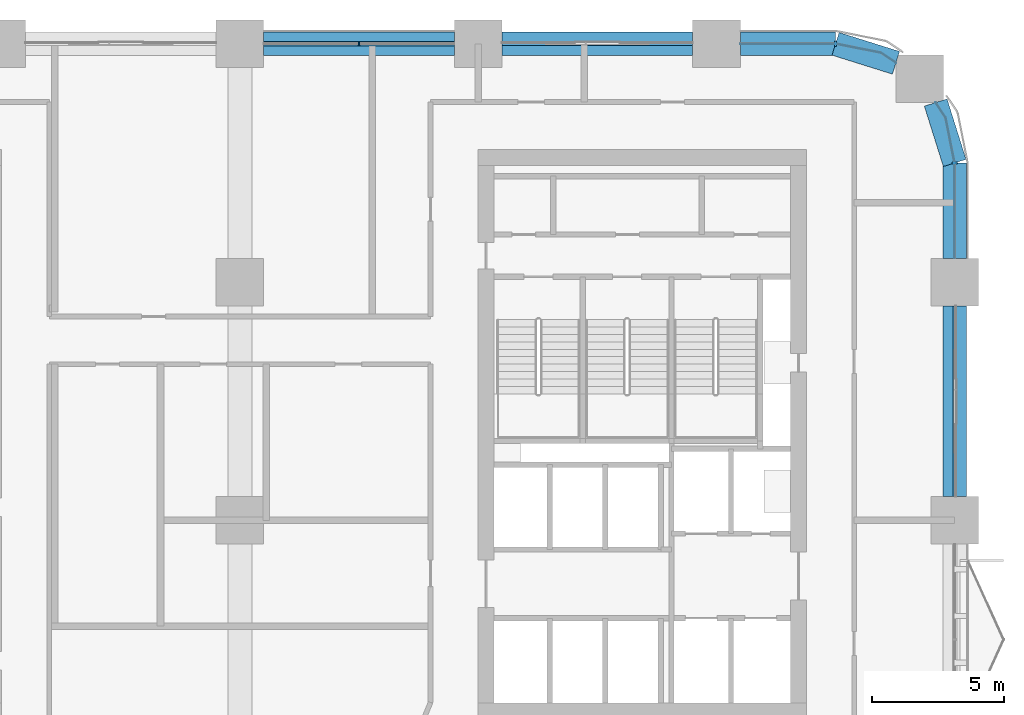
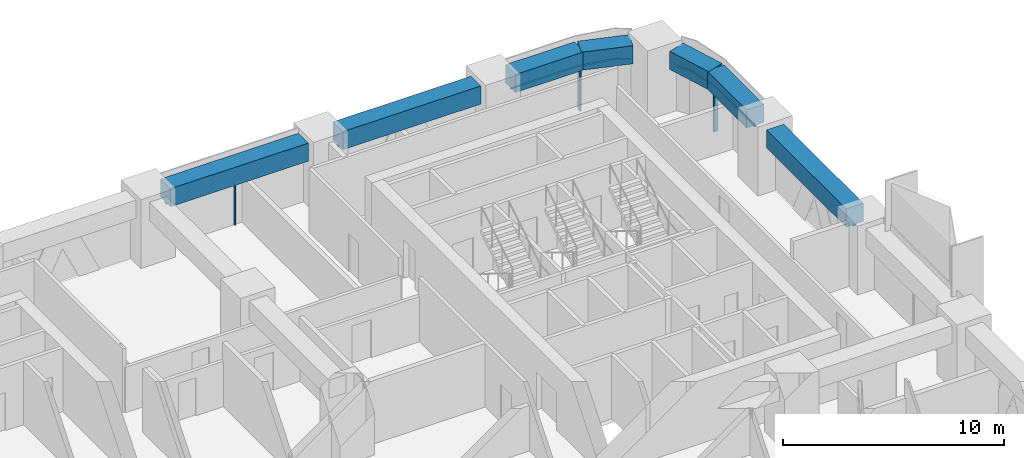
# One storey, part 9 of 24: 8 members, 7 beams, 5 elements without a shape of their own.
"""IFC4 building model written with IfcOpenShell, lengths in metres."""

from ifc_helpers import new_model, si_unit, direction, frame, origin, origin_2d, place, context, subcontext, project, spatial, polyline, rectangle, outline, extrude, material, material_profile, profile_set, type_object, element, aggregate, save


model = new_model("IFC4")

# Units and contexts
model_context = context("Model", 3, precision=1e-05, world=origin(), true_north=direction((0.0, 1.0)))
body_context = subcontext(model_context, "Body", "Model", "MODEL_VIEW")
ifc_project = project(units=[si_unit("LENGTHUNIT", "METRE"), si_unit("AREAUNIT", "SQUARE_METRE"), si_unit("VOLUMEUNIT", "CUBIC_METRE"), si_unit("PLANEANGLEUNIT", "RADIAN"), si_unit("MASSUNIT", "GRAM", prefix="KILO")], contexts=[model_context])

# Site, building, storey
site_placement = place(None, origin())
site = spatial("IfcSite", under=ifc_project, at=site_placement, CompositionType="ELEMENT")
building_placement = place(site_placement, origin())
building = spatial("IfcBuilding", under=site, at=building_placement, Name="Tessera Arch", CompositionType="ELEMENT")
storey_placement = place(building_placement, frame((0.0, 0.0, 81.60009765625)))
storey = spatial("IfcBuildingStorey", under=building, at=storey_placement, Name="L18", CompositionType="ELEMENT", Elevation=81.60009765625)

# Curtain wall, members
ifc_material_1 = material(Name="CW1 curtain wall")
curtain_wall_type_1 = type_object("IfcCurtainWallType", Name="CW1 curtain wall", PredefinedType="NOTDEFINED", material=ifc_material_1)
curtain_wall_1_placement = place(storey_placement, origin())
curtain_wall_1 = element("IfcCurtainWall", 1, at=curtain_wall_1_placement, inside=storey, type_object=curtain_wall_type_1, Name="CW1 curtain wall N54.0/1 L18", PredefinedType="NOTDEFINED")
ifc_material_2 = material(Name="Anodised aluminium pale metal", Category="aluminium")
ifc_material_profile_1 = material_profile(ifc_material_2, rectangle(XDim=0.159912109375, YDim=0.06005859375, at=origin_2d()), Name="AL 60x160")
ifc_profile_set_1 = profile_set([ifc_material_profile_1], Name="Anodised aluminium pale metal")
member_type_1 = type_object("IfcMemberType", Name="CW1 mullion", PredefinedType="MULLION", material=ifc_profile_set_1)
member_1_placement = place(storey_placement, frame((31.5, 54.0, 0.0), z_axis=(0.0, 0.0, 1.0), x_axis=(0.0, -1.0, 0.0)))
member_1 = element("IfcMember", 2, at=member_1_placement, type_object=member_type_1, Name="CW1 mullion N54.0/1 1", PredefinedType="MULLION", context=body_context, shape_type="SweptSolid", body=[
    extrude(rectangle(XDim=0.159912109375, YDim=0.06005859375, at=origin_2d()), origin(), (0.0, 0.0, 1.0), 2.39990234375),
])
ifc_material_3 = material(Name="Anodised aluminium pale metal", Category="aluminium")
ifc_material_profile_2 = material_profile(ifc_material_3, rectangle(XDim=0.159912109375, YDim=0.10009765625, at=origin_2d()), Name="AL 160x100")
ifc_profile_set_2 = profile_set([ifc_material_profile_2], Name="Anodised aluminium pale metal")
member_type_2 = type_object("IfcMemberType", Name="CW1 transom", PredefinedType="USERDEFINED", material=ifc_profile_set_2)
member_2_placement = place(storey_placement, frame((35.10009765625, 54.0, 2.449951171875), z_axis=(-1.0, 0.0, 0.0), x_axis=(0.0, -1.0, 0.0)))
member_2 = element("IfcMember", 3, at=member_2_placement, type_object=member_type_2, Name="CW1 transom N54.0/1 1.1", ObjectType="TRANSOM", PredefinedType="USERDEFINED", context=body_context, shape_type="SweptSolid", body=[
    extrude(rectangle(XDim=0.159912109375, YDim=0.10009765625, at=origin_2d()), origin(), (0.0, 0.0, 1.0), 7.2001953125),
])
aggregate(curtain_wall_1, [member_1, member_2])

# Curtain wall, member
ifc_material_4 = material(Name="CW2 curtain wall")
curtain_wall_type_2 = type_object("IfcCurtainWallType", Name="CW2 curtain wall", PredefinedType="NOTDEFINED", material=ifc_material_4)
curtain_wall_2_placement = place(storey_placement, origin())
curtain_wall_2 = element("IfcCurtainWall", 4, at=curtain_wall_2_placement, inside=storey, type_object=curtain_wall_type_2, Name="CW2 curtain wall E54.0/5 L18", PredefinedType="NOTDEFINED")
ifc_material_5 = material(Name="Anodised aluminium pale metal", Category="aluminium")
ifc_material_profile_3 = material_profile(ifc_material_5, rectangle(XDim=0.199951171875, YDim=0.080078125, at=origin_2d()), Name="AL 80x200")
ifc_profile_set_3 = profile_set([ifc_material_profile_3], Name="Anodised aluminium pale metal")
member_type_3 = type_object("IfcMemberType", Name="CW2 mullion", PredefinedType="MULLION", material=ifc_profile_set_3)
member_3_placement = place(storey_placement, frame((54.0, 49.5, 0.0), z_axis=(0.0, 0.0, 1.0), x_axis=(-1.0, 0.0, 0.0)))
member_3 = element("IfcMember", 5, at=member_3_placement, type_object=member_type_3, Name="CW2 mullion E54.0/5 1", PredefinedType="MULLION", context=body_context, shape_type="SweptSolid", body=[
    extrude(rectangle(XDim=0.199951171875, YDim=0.080078125, at=origin_2d()), origin(), (0.0, 0.0, 1.0), 2.39990234375),
])

curtain_wall_3_placement = place(storey_placement, origin())
curtain_wall_3 = element("IfcCurtainWall", 6, at=curtain_wall_3_placement, inside=storey, type_object=curtain_wall_type_2, Name="CW2 curtain wall N54.0/5 L18", PredefinedType="NOTDEFINED")
member_4_placement = place(storey_placement, frame((49.5, 54.0, 0.0), z_axis=(0.0, 0.0, 1.0), x_axis=(0.0, -1.0, 0.0)))
member_4 = element("IfcMember", 7, at=member_4_placement, type_object=member_type_3, Name="CW2 mullion N54.0/5 1", PredefinedType="MULLION", context=body_context, shape_type="SweptSolid", body=[
    extrude(rectangle(XDim=0.199951171875, YDim=0.080078125, at=origin_2d()), origin(), (0.0, 0.0, 1.0), 2.39990234375),
])

# Member
ifc_material_6 = material(Name="Anodised aluminium pale metal", Category="aluminium")
ifc_material_profile_4 = material_profile(ifc_material_6, rectangle(XDim=0.199951171875, YDim=0.10009765625, at=origin_2d()), Name="AL 200x100")
ifc_profile_set_4 = profile_set([ifc_material_profile_4], Name="Anodised aluminium pale metal")
member_type_4 = type_object("IfcMemberType", Name="CW2 transom", PredefinedType="USERDEFINED", material=ifc_profile_set_4)
member_5_placement = place(storey_placement, frame((0.0, 0.0, 2.39990234375)))
member_5 = element("IfcMember", 8, at=member_5_placement, type_object=member_type_4, Name="CW2 transom E54.0/5 1", ObjectType="TRANSOM", PredefinedType="USERDEFINED", context=body_context, shape_type="SweptSolid", body=[
    extrude(outline(polyline([(53.989990234375, 49.4990234375), (53.989990234375, 45.89990234375), (54.010009765625, 45.89990234375), (54.010009765625, 49.5009765625), (53.6669921875, 51.22607421875), (53.29150390625, 51.78759765625), (53.27490234375, 51.7763671875), (53.648193359375, 51.21826171875), (53.989990234375, 49.4990234375)])), origin(), (0.0, 0.0, 1.0), 0.10009765625),
])

aggregate(curtain_wall_2, [member_3, member_5])

member_6_placement = place(storey_placement, frame((0.0, 0.0, 2.39990234375)))
member_6 = element("IfcMember", 9, at=member_6_placement, type_object=member_type_4, Name="CW2 transom N54.0/5 1", ObjectType="TRANSOM", PredefinedType="USERDEFINED", context=body_context, shape_type="SweptSolid", body=[
    extrude(outline(polyline([(51.21826171875, 53.648193359375), (51.7763671875, 53.27490234375), (51.78759765625, 53.29150390625), (51.22607421875, 53.6669921875), (49.5009765625, 54.010009765625), (45.89990234375, 54.010009765625), (45.89990234375, 53.989990234375), (49.4990234375, 53.989990234375), (51.21826171875, 53.648193359375)])), origin(), (0.0, 0.0, 1.0), 0.10009765625),
])

aggregate(curtain_wall_3, [member_4, member_6])

# Curtain wall, member
ifc_material_7 = material(Name="CW3 curtain wall")
curtain_wall_type_3 = type_object("IfcCurtainWallType", Name="CW3 curtain wall", PredefinedType="NOTDEFINED", material=ifc_material_7)
curtain_wall_4_placement = place(storey_placement, origin())
curtain_wall_4 = element("IfcCurtainWall", 10, at=curtain_wall_4_placement, inside=storey, type_object=curtain_wall_type_3, Name="CW3 curtain wall N54.0/0 L18", PredefinedType="NOTDEFINED")
ifc_material_8 = material(Name="Anodised aluminium pale metal", Category="aluminium")
ifc_material_profile_5 = material_profile(ifc_material_8, rectangle(XDim=0.139892578125, YDim=0.10009765625, at=origin_2d()), Name="AL 140x100")
ifc_profile_set_5 = profile_set([ifc_material_profile_5], Name="Anodised aluminium pale metal")
member_type_5 = type_object("IfcMemberType", Name="CW3 transom", PredefinedType="USERDEFINED", material=ifc_profile_set_5)
member_7_placement = place(storey_placement, frame((44.10009765625, 54.0, 2.449951171875), z_axis=(-1.0, 0.0, 0.0), x_axis=(0.0, -1.0, 0.0)))
member_7 = element("IfcMember", 11, at=member_7_placement, type_object=member_type_5, Name="CW3 transom N54.0/0 1.1", ObjectType="TRANSOM", PredefinedType="USERDEFINED", context=body_context, shape_type="SweptSolid", body=[
    extrude(rectangle(XDim=0.139892578125, YDim=0.10009765625, at=origin_2d()), origin(), (0.0, 0.0, 1.0), 7.2001953125),
])
aggregate(curtain_wall_4, [member_7])

curtain_wall_5_placement = place(storey_placement, origin())
curtain_wall_5 = element("IfcCurtainWall", 12, at=curtain_wall_5_placement, inside=storey, type_object=curtain_wall_type_3, Name="CW3 curtain wall E54.0/4 L18", PredefinedType="NOTDEFINED")
member_8_placement = place(storey_placement, frame((54.0, 36.89990234375, 2.449951171875), z_axis=(0.0, 1.0, 0.0), x_axis=(-1.0, 0.0, 0.0)))
member_8 = element("IfcMember", 13, at=member_8_placement, type_object=member_type_5, Name="CW3 transom E54.0/4 1.1", ObjectType="TRANSOM", PredefinedType="USERDEFINED", context=body_context, shape_type="SweptSolid", body=[
    extrude(rectangle(XDim=0.139892578125, YDim=0.10009765625, at=origin_2d()), origin(), (0.0, 0.0, 1.0), 7.2001953125),
])
aggregate(curtain_wall_5, [member_8])

# Beams
ifc_material_9 = material(Name="Concrete C80/95", Category="concrete")
ifc_material_profile_6 = material_profile(ifc_material_9, rectangle(XDim=0.89990234375, YDim=1.0, at=origin_2d()), Name="RC spandrel beam 900 x 1000 Concrete C80/95")
ifc_profile_set_6 = profile_set([ifc_material_profile_6], Name="Concrete C80/95")
beam_type = type_object("IfcBeamType", Name="RC spandrel beam 900 x 1000 Concrete C80/95", PredefinedType="BEAM", material=ifc_profile_set_6)
for number, where, z_axis, x_axis, name in (
    (14, (44.10009765625, 54.0, 3.0), (-1.0, 0.0, 0.0), (0.0, -1.0, 0.0), "Spandrel beam L18 N54.0/0"),
    (15, (35.10009765625, 54.0, 3.0), (-1.0, 0.0, 0.0), (0.0, -1.0, 0.0), "Spandrel beam L18 N54.0/1"),
    (16, (54.0, 36.89990234375, 3.0), (0.0, 1.0, 0.0), (-1.0, 0.0, 0.0), "Spandrel beam L18 E54.0/4"),
):
    element("IfcBeam", number, at=place(storey_placement, frame(where, z_axis=z_axis, x_axis=x_axis)), inside=storey, type_object=beam_type, Name=name, PredefinedType="BEAM", context=body_context, shape_type="SweptSolid", body=[
        extrude(rectangle(XDim=0.89990234375, YDim=1.0, at=origin_2d()), origin(), (0.0, 0.0, 1.0), 7.2001953125),
    ])
beam_1_placement = place(storey_placement, frame((54.0, 45.89990234375, 3.0), z_axis=(0.0, 1.0, 0.0), x_axis=(-1.0, 0.0, 0.0)))
element("IfcBeam", 17, at=beam_1_placement, inside=storey, type_object=beam_type, Name="Spandrel beam L18 E54.0/5.1", PredefinedType="BEAM", context=body_context, shape_type="SweptSolid", body=[
    extrude(rectangle(XDim=0.89990234375, YDim=1.0, at=origin_2d()), origin(), (0.0, 0.0, 1.0), 3.60009765625),
])
for number, where, z_axis, x_axis, name in (
    (18, (54.0, 49.5, 3.0), (-0.299675309057, 0.954041251279, 0.0), (-0.954041251279, -0.299675309057, 0.0), "Spandrel beam L18 E54.0/5.2"),
    (19, (51.781982421875, 53.283203125, 3.0), (-0.954041251279, 0.299675309057, 0.0), (-0.299675309057, -0.954041251279, 0.0), "Spandrel beam L18 N54.0/5.1"),
):
    element("IfcBeam", number, at=place(storey_placement, frame(where, z_axis=z_axis, x_axis=x_axis)), inside=storey, type_object=beam_type, Name=name, PredefinedType="BEAM", context=body_context, shape_type="SweptSolid", body=[
        extrude(rectangle(XDim=0.89990234375, YDim=1.0, at=origin_2d()), origin(), (0.0, 0.0, 1.0), 2.391845703125),
    ])
beam_2_placement = place(storey_placement, frame((49.5, 54.0, 3.0), z_axis=(-1.0, 0.0, 0.0), x_axis=(0.0, -1.0, 0.0)))
element("IfcBeam", 20, at=beam_2_placement, inside=storey, type_object=beam_type, Name="Spandrel beam L18 N54.0/5.2", PredefinedType="BEAM", context=body_context, shape_type="SweptSolid", body=[
    extrude(rectangle(XDim=0.89990234375, YDim=1.0, at=origin_2d()), origin(), (0.0, 0.0, 1.0), 3.60009765625),
])

save(model, "model.ifc")
